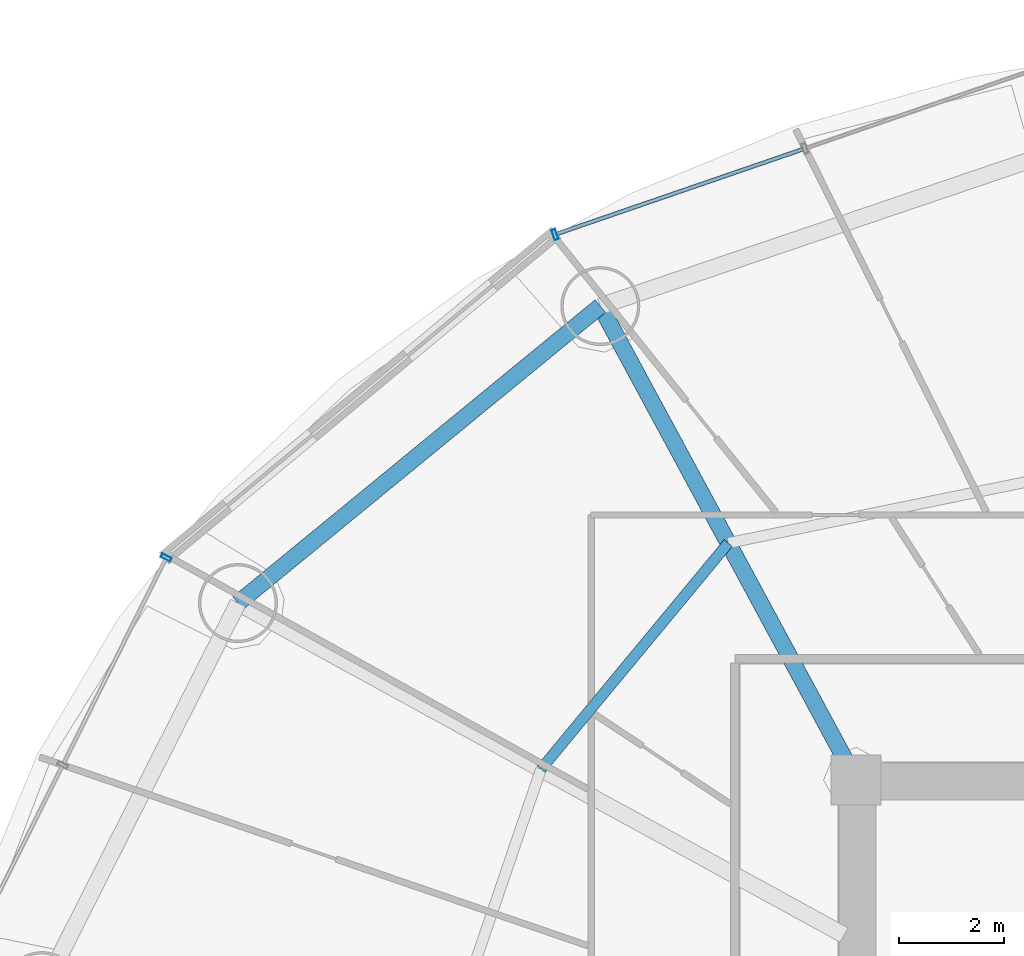
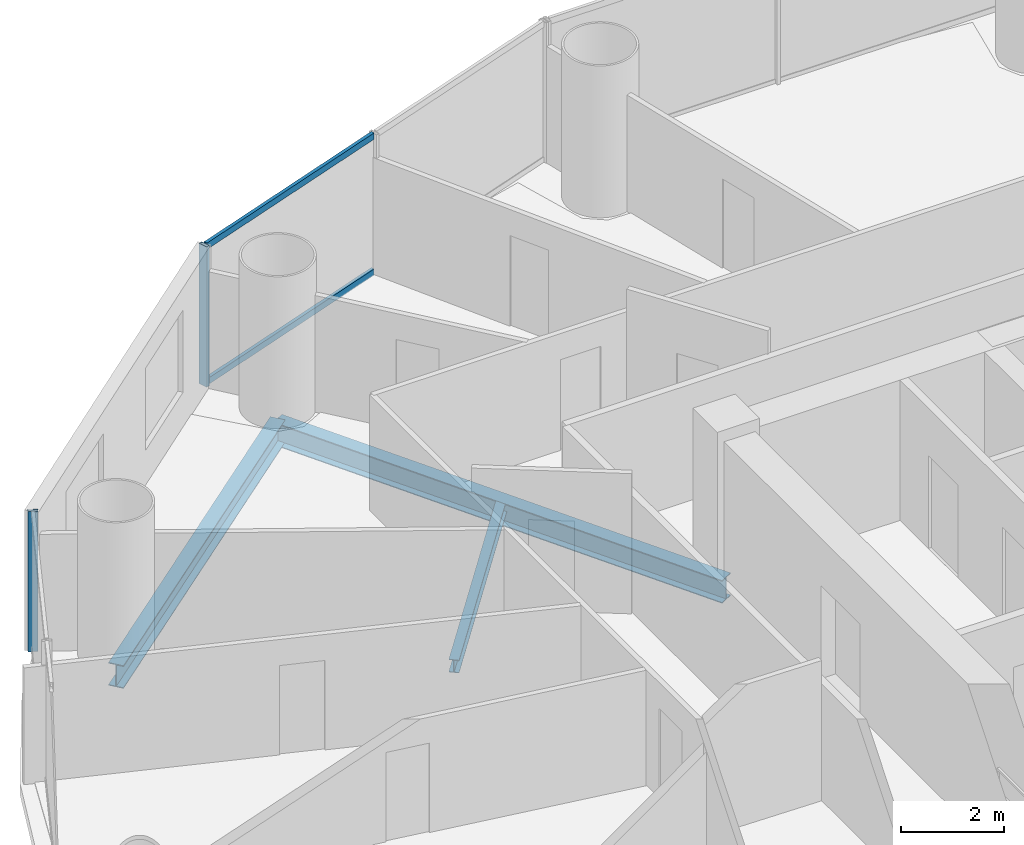
# One storey, part 16 of 29: 4 members, 3 beams, 2 elements without a shape of their own.
"""IFC4 building model written with IfcOpenShell, lengths in metres."""

from ifc_helpers import new_model, si_unit, direction, frame, origin, origin_2d, place, context, subcontext, project, spatial, hollow_rectangle, i_section, extrude, source, transform, mapped, material, material_profile, profile_set, type_object, element, aggregate, save


model = new_model("IFC4")

# Units and contexts
model_context = context("Model", 3, precision=1e-05, world=origin(), true_north=direction((-0.2419218956, 0.970295726276)))
body_context = subcontext(model_context, "Body", "Model", "MODEL_VIEW")
ifc_project = project(units=[si_unit("LENGTHUNIT", "METRE"), si_unit("AREAUNIT", "SQUARE_METRE"), si_unit("VOLUMEUNIT", "CUBIC_METRE"), si_unit("PLANEANGLEUNIT", "RADIAN"), si_unit("MASSUNIT", "GRAM", prefix="KILO")], contexts=[model_context])

# Site, building, storey
site_placement = place(None, origin())
site = spatial("IfcSite", under=ifc_project, at=site_placement, CompositionType="ELEMENT")
building_placement = place(site_placement, origin())
building = spatial("IfcBuilding", under=site, at=building_placement, Name="Cobrevalo Terracotta Tower", CompositionType="ELEMENT")
storey_placement = place(building_placement, frame((0.0, 0.0, 112.199951171875)))
storey = spatial("IfcBuildingStorey", under=building, at=storey_placement, Name="L29", CompositionType="ELEMENT", Elevation=112.199951171875)

# Beams
ifc_material_1 = material(Name="Steel S355", Category="steel")
ifc_material_profile_1 = material_profile(ifc_material_1, i_section(OverallWidth=0.31201171875, OverallDepth=0.54296875, WebThickness=0.0126953125, FlangeThickness=0.020263671875, at=origin_2d()), Name="W 530x150")
ifc_profile_set_1 = profile_set([ifc_material_profile_1], Name="Steel S355")
beam_type_1 = type_object("IfcBeamType", Name="Structural Beam W 530x150 (Steel S355)", PredefinedType="BEAM", material=ifc_profile_set_1)
beam_1_placement = place(storey_placement, frame((24.138427734375, 43.803466796875, -0.54638671875), z_axis=(0.475128224431, -0.879916570107, 0.0), x_axis=(0.879916570107, 0.475128224431, 0.0)))
element("IfcBeam", 1, at=beam_1_placement, inside=storey, type_object=beam_type_1, Name="L29 radial floor girder 06", PredefinedType="BEAM", context=body_context, shape_type="SweptSolid", body=[
    extrude(i_section(OverallWidth=0.31201171875, OverallDepth=0.54296875, WebThickness=0.0126953125, FlangeThickness=0.020263671875, at=origin_2d()), origin(), (0.0, 0.0, 1.0), 10.232177734375),
])
ifc_material_profile_2 = material_profile(ifc_material_1, i_section(OverallWidth=0.2041015625, OverallDepth=0.305908203125, WebThickness=0.008544921875, FlangeThickness=0.0146484375, at=origin_2d()), Name="W 310x67")
ifc_profile_set_2 = profile_set([ifc_material_profile_2], Name="Steel S355")
beam_type_2 = type_object("IfcBeamType", Name="Structural Joist W 310x67 (Steel S355)", PredefinedType="JOIST", material=ifc_profile_set_2)
beam_2_placement = place(storey_placement, frame((26.5693359375, 39.3017578125, -0.427978515625), z_axis=(-0.6379592588, -0.77007011636, 0.0), x_axis=(0.77007011636, -0.6379592588, 0.0)))
element("IfcBeam", 2, at=beam_2_placement, inside=storey, type_object=beam_type_2, Name="L29 circumferential secondary floor joist 06", PredefinedType="JOIST", context=body_context, shape_type="SweptSolid", body=[
    extrude(i_section(OverallWidth=0.2041015625, OverallDepth=0.305908203125, WebThickness=0.008544921875, FlangeThickness=0.0146484375, at=origin_2d()), origin(), (0.0, 0.0, 1.0), 5.575439453125),
])
ifc_material_profile_3 = material_profile(ifc_material_1, i_section(OverallWidth=0.31201171875, OverallDepth=0.54296875, WebThickness=0.0126953125, FlangeThickness=0.020263671875, at=origin_2d()), Name="W 530x150")
ifc_profile_set_3 = profile_set([ifc_material_profile_3], Name="Steel S355")
beam_type_3 = type_object("IfcBeamType", Name="Structural Spandrel W 530x150 (Steel S355)", PredefinedType="SPANDREL", material=ifc_profile_set_3)
beam_3_placement = place(storey_placement, frame((24.138427734375, 43.803466796875, -0.54638671875), z_axis=(-0.773400923541, -0.633917196064, 0.0), x_axis=(0.633917196064, -0.773400923541, 0.0)))
element("IfcBeam", 3, at=beam_3_placement, inside=storey, type_object=beam_type_3, Name="L29 perimeter ring spandrel 06", PredefinedType="SPANDREL", context=body_context, shape_type="SweptSolid", body=[
    extrude(i_section(OverallWidth=0.31201171875, OverallDepth=0.54296875, WebThickness=0.0126953125, FlangeThickness=0.020263671875, at=origin_2d()), origin(), (0.0, 0.0, 1.0), 8.900390625),
])

# Curtain wall, member
ifc_material_2 = material(Name="Anodized aluminium", Category="aluminium")
curtain_wall_type = type_object("IfcCurtainWallType", Name="Lower-tower unitised acoustic low-E curtain wall CW-U1", PredefinedType="NOTDEFINED", material=ifc_material_2)
curtain_wall_1_placement = place(storey_placement, origin())
curtain_wall_1 = element("IfcCurtainWall", 4, at=curtain_wall_1_placement, inside=storey, type_object=curtain_wall_type, Name="L29 curtain wall CW-L29-S05", PredefinedType="NOTDEFINED")
ifc_material_profile_4 = material_profile(ifc_material_2, hollow_rectangle(XDim=0.074951171875, YDim=0.199951171875, WallThickness=0.0048828125, at=origin_2d()), Name="CWM 75x200")
ifc_profile_set_4 = profile_set([ifc_material_profile_4], Name="Anodized aluminium")
member_type_1 = type_object("IfcMemberType", Name="Lower/mid tower unitised mullion 75x200", PredefinedType="MULLION", material=ifc_profile_set_4)
shared_shape_1 = source(origin(), body_context, "Body", "SweptSolid", [
    extrude(hollow_rectangle(XDim=0.074951171875, YDim=0.199951171875, WallThickness=0.0048828125, at=origin_2d()), origin(), (0.0, 0.0, 1.0), 3.324951171875),
])
member_1_placement = place(storey_placement, frame((23.2763671875, 45.16357421875, 0.0), z_axis=(0.0, 0.0, 1.0), x_axis=(-0.94559809868, -0.325337110968, 0.0)))
member_1 = element("IfcMember", 5, at=member_1_placement, type_object=member_type_1, Name="CW-L29-S05 vertical mullion 03", PredefinedType="MULLION", context=body_context, shape_type="MappedRepresentation", body=[
    mapped(shared_shape_1, transform((0.0, 0.0, 0.0), scale=1.0)),
])

curtain_wall_2_placement = place(storey_placement, origin())
curtain_wall_2 = element("IfcCurtainWall", 6, at=curtain_wall_2_placement, inside=storey, type_object=curtain_wall_type, Name="L29 curtain wall CW-L29-S07", PredefinedType="NOTDEFINED")
member_2_placement = place(storey_placement, frame((15.889892578125, 39.025634765625, 0.0), z_axis=(0.0, 0.0, 1.0), x_axis=(-0.446260290227, -0.894903208937, 0.0)))
member_2 = element("IfcMember", 7, at=member_2_placement, type_object=member_type_1, Name="CW-L29-S07 vertical mullion 01", PredefinedType="MULLION", context=body_context, shape_type="MappedRepresentation", body=[
    mapped(shared_shape_1, transform((0.0, 0.0, 0.0), scale=1.0)),
])
aggregate(curtain_wall_2, [member_2])

# Member
ifc_material_profile_5 = material_profile(ifc_material_2, hollow_rectangle(XDim=0.074951171875, YDim=0.14990234375, WallThickness=0.00439453125, at=origin_2d()), Name="CWT 75x150")
ifc_profile_set_5 = profile_set([ifc_material_profile_5], Name="Anodized aluminium")
member_type_2 = type_object("IfcMemberType", Name="Tower unitised aluminium transom 75x150", PredefinedType="USERDEFINED", material=ifc_profile_set_5)
shared_shape_2 = source(origin(), body_context, "Body", "SweptSolid", [
    extrude(hollow_rectangle(XDim=0.074951171875, YDim=0.14990234375, WallThickness=0.00439453125, at=origin_2d()), origin(), (0.0, 0.0, 1.0), 4.944580078125),
])
member_3_placement = place(storey_placement, frame((27.98974609375, 46.78515625, 0.050048828125), z_axis=(-0.945597859971, -0.32533780478, 0.0), x_axis=(0.32533780478, -0.945597859971, 0.0)))
member_3 = element("IfcMember", 8, at=member_3_placement, type_object=member_type_2, Name="CW-L29-S05 transom B02-T1", ObjectType="TRANSOM", PredefinedType="USERDEFINED", context=body_context, shape_type="MappedRepresentation", body=[
    mapped(shared_shape_2, transform((0.0, 0.0, 0.0), scale=1.0)),
])

member_4_placement = place(storey_placement, frame((27.98974609375, 46.78515625, 3.275146484375), z_axis=(-0.945597859971, -0.32533780478, 0.0), x_axis=(0.32533780478, -0.945597859971, 0.0)))
member_4 = element("IfcMember", 9, at=member_4_placement, type_object=member_type_2, Name="CW-L29-S05 transom B02-T2", ObjectType="TRANSOM", PredefinedType="USERDEFINED", context=body_context, shape_type="MappedRepresentation", body=[
    mapped(shared_shape_2, transform((0.0, 0.0, 0.0), scale=1.0)),
])

aggregate(curtain_wall_1, [member_1, member_3, member_4])

save(model, "model.ifc")
